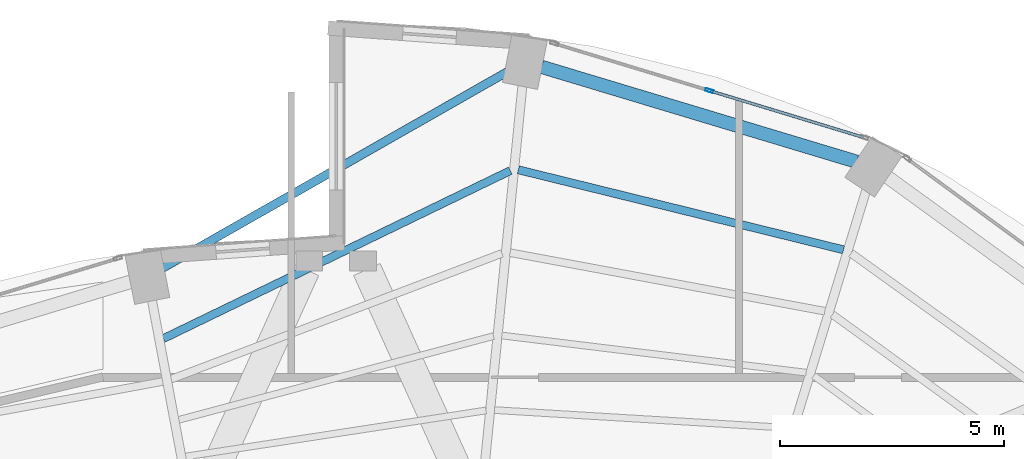
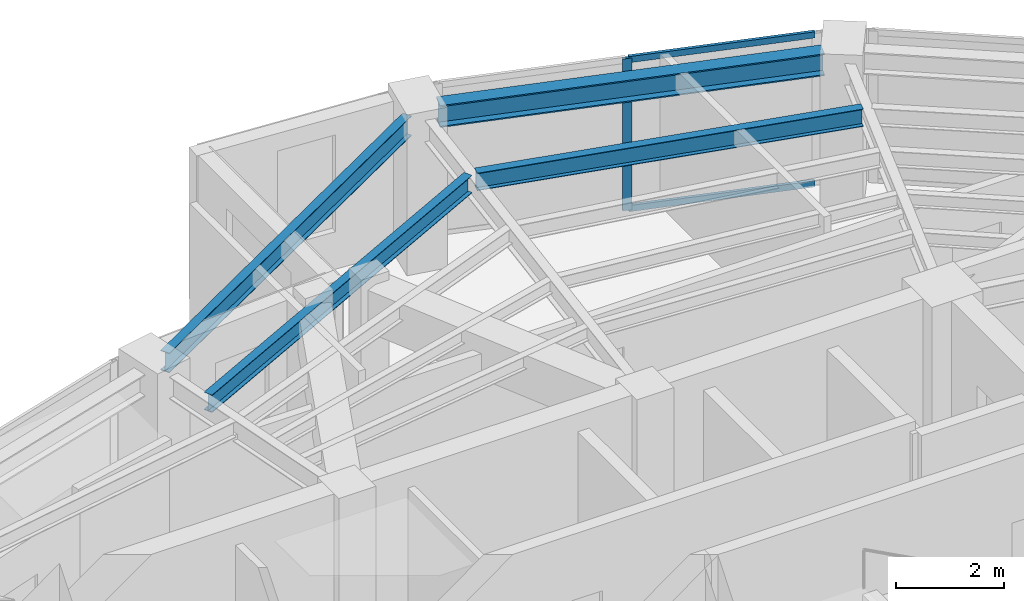
# One storey, part 16 of 23: 4 beams, 3 members, 1 element without a shape of its own.
"""IFC4 building model written with IfcOpenShell, lengths in metres."""

from ifc_helpers import new_model, si_unit, direction, frame, origin, origin_2d, place, context, subcontext, project, spatial, hollow_rectangle, i_section, extrude, material, layer, layer_set, material_profile, profile_set, type_object, element, aggregate, save


model = new_model("IFC4")

# Units and contexts
model_context = context("Model", 3, precision=1e-05, world=origin(), true_north=direction((0.0, 1.0)))
body_context = subcontext(model_context, "Body", "Model", "MODEL_VIEW")
ifc_project = project(units=[si_unit("LENGTHUNIT", "METRE"), si_unit("AREAUNIT", "SQUARE_METRE"), si_unit("VOLUMEUNIT", "CUBIC_METRE"), si_unit("PLANEANGLEUNIT", "RADIAN"), si_unit("MASSUNIT", "GRAM", prefix="KILO")], contexts=[model_context])

# Site, building, storey
site_placement = place(None, origin())
site = spatial("IfcSite", under=ifc_project, at=site_placement, CompositionType="ELEMENT")
building_placement = place(site_placement, origin())
building = spatial("IfcBuilding", under=site, at=building_placement, Name="Lazwardi Medical Tower", CompositionType="ELEMENT")
storey_placement = place(building_placement, frame((0.0, 0.0, 262.320068359375)))
storey = spatial("IfcBuildingStorey", under=building, at=storey_placement, Name="L68", CompositionType="ELEMENT", Elevation=262.320068359375)

# Beams
ifc_material_1 = material(Name="Steel S355", Category="steel")
ifc_material_profile_1 = material_profile(ifc_material_1, i_section(OverallWidth=0.300048828125, OverallDepth=0.5, WebThickness=0.014404296875, FlangeThickness=0.028076171875, at=origin_2d()), Name="HEB 500")
ifc_profile_set_1 = profile_set([ifc_material_profile_1], Name="Steel S355")
beam_type_1 = type_object("IfcBeamType", Name="BM-RB-Z4", PredefinedType="BEAM", material=ifc_profile_set_1)
beam_1_placement = place(storey_placement, frame((47.626953125, 43.56640625, 3.197998046875), z_axis=(-0.957544311906, 0.288286126506, 0.0), x_axis=(-0.288286126506, -0.957544311906, 0.0)))
element("IfcBeam", 1, at=beam_1_placement, inside=storey, type_object=beam_type_1, Name="Ring beam RB-05 B07 L68", PredefinedType="BEAM", context=body_context, shape_type="SweptSolid", body=[
    extrude(i_section(OverallWidth=0.300048828125, OverallDepth=0.5, WebThickness=0.014404296875, FlangeThickness=0.028076171875, at=origin_2d()), origin(), (0.0, 0.0, 1.0), 7.3515625),
])
ifc_material_profile_2 = material_profile(ifc_material_1, i_section(OverallWidth=0.179931640625, OverallDepth=0.39990234375, WebThickness=0.008544921875, FlangeThickness=0.013427734375, at=origin_2d()), Name="IPE 400")
ifc_profile_set_2 = profile_set([ifc_material_profile_2], Name="Steel S355")
beam_type_2 = type_object("IfcBeamType", Name="BM-SJ-01", PredefinedType="JOIST", material=ifc_profile_set_2)
beam_2_placement = place(storey_placement, frame((47.334228515625, 41.59912109375, 3.248046875), z_axis=(-0.971041669317, 0.238910184904, 0.0), x_axis=(-0.238910184904, -0.971041669317, 0.0)))
element("IfcBeam", 2, at=beam_2_placement, inside=storey, type_object=beam_type_2, Name="Secondary joist SJ-01 R1 B07 L68", PredefinedType="JOIST", context=body_context, shape_type="SweptSolid", body=[
    extrude(i_section(OverallWidth=0.179931640625, OverallDepth=0.39990234375, WebThickness=0.008544921875, FlangeThickness=0.013427734375, at=origin_2d()), origin(), (0.0, 0.0, 1.0), 7.482421875),
])
beam_3_placement = place(storey_placement, frame((39.89111328125, 43.367919921875, 3.248046875), z_axis=(-0.900068885459, -0.435747635024, 0.0), x_axis=(0.435747635024, -0.900068885459, 0.0)))
element("IfcBeam", 3, at=beam_3_placement, inside=storey, type_object=beam_type_2, Name="Secondary joist SJ-01 R1 B08 L68", PredefinedType="JOIST", context=body_context, shape_type="SweptSolid", body=[
    extrude(i_section(OverallWidth=0.179931640625, OverallDepth=0.39990234375, WebThickness=0.008544921875, FlangeThickness=0.013427734375, at=origin_2d()), origin(), (0.0, 0.0, 1.0), 8.612548828125),
])
ifc_material_profile_3 = material_profile(ifc_material_1, i_section(OverallWidth=0.18994140625, OverallDepth=0.449951171875, WebThickness=0.009521484375, FlangeThickness=0.0146484375, at=origin_2d()), Name="IPE 450")
ifc_profile_set_3 = profile_set([ifc_material_profile_3], Name="Steel S355")
beam_type_3 = type_object("IfcBeamType", Name="BM-SP-01", PredefinedType="SPANDREL", material=ifc_profile_set_3)
beam_4_placement = place(storey_placement, frame((39.875, 45.605224609375, 3.222900390625), z_axis=(-0.868954808466, -0.494891443494, 0.0), x_axis=(0.494891443494, -0.868954808466, 0.0)))
element("IfcBeam", 4, at=beam_4_placement, inside=storey, type_object=beam_type_3, Name="Spandrel beam SP-01 B08 L68", PredefinedType="SPANDREL", context=body_context, shape_type="SweptSolid", body=[
    extrude(i_section(OverallWidth=0.18994140625, OverallDepth=0.449951171875, WebThickness=0.009521484375, FlangeThickness=0.0146484375, at=origin_2d()), origin(), (0.0, 0.0, 1.0), 8.918701171875),
])

# Curtain wall, members
ifc_material_2 = material(Name="Anodised bronze aluminium and solar control glazing", Category="aluminium")
ifc_layer = layer(ifc_material_2, 0.18994140625)
ifc_layer_set = layer_set([ifc_layer], Name="Anodised bronze aluminium and solar control glazing")
curtain_wall_type = type_object("IfcCurtainWallType", Name="CW-SYS-04", PredefinedType="NOTDEFINED", material=ifc_layer_set)
curtain_wall_placement = place(storey_placement, origin())
curtain_wall = element("IfcCurtainWall", 5, at=curtain_wall_placement, inside=storey, type_object=curtain_wall_type, Name="L68 Unitised bronze curtain wall CW-04", PredefinedType="NOTDEFINED")
ifc_material_3 = material(Name="Anodised bronze aluminium", Category="aluminium")
ifc_material_profile_4 = material_profile(ifc_material_3, hollow_rectangle(XDim=0.06494140625, YDim=0.179931640625, WallThickness=0.00390625, at=origin_2d()), Name="ALU-MULLION 180x65x4")
ifc_profile_set_4 = profile_set([ifc_material_profile_4], Name="Anodised bronze aluminium")
member_type_1 = type_object("IfcMemberType", Name="CW-MUL-03", PredefinedType="MULLION", material=ifc_profile_set_4)
member_1_placement = place(storey_placement, frame((44.33642578125, 45.1552734375, 0.0), z_axis=(0.0, 0.0, 1.0), x_axis=(-0.290581889515, -0.956850126972, 0.0)))
member_1 = element("IfcMember", 6, at=member_1_placement, type_object=member_type_1, Name="CW-04 mullion 2", PredefinedType="MULLION", context=body_context, shape_type="SweptSolid", body=[
    extrude(hollow_rectangle(XDim=0.06494140625, YDim=0.179931640625, WallThickness=0.00390625, at=origin_2d()), origin(), (0.0, 0.0, 1.0), 3.447998046875),
])
ifc_material_profile_5 = material_profile(ifc_material_3, hollow_rectangle(XDim=0.06494140625, YDim=0.139892578125, WallThickness=0.00341796875, at=origin_2d()), Name="ALU-TRANSOM 140x65x3.5")
ifc_profile_set_5 = profile_set([ifc_material_profile_5], Name="Anodised bronze aluminium")
member_type_2 = type_object("IfcMemberType", Name="CW-TRN-03", PredefinedType="USERDEFINED", material=ifc_profile_set_5)
member_2_placement = place(storey_placement, frame((47.7685546875, 44.113037109375, 0.032470703125), z_axis=(-0.956862505902, 0.290541124109, 0.0), x_axis=(-0.290541124109, -0.956862505902, 0.0)))
member_2 = element("IfcMember", 7, at=member_2_placement, type_object=member_type_2, Name="CW-04 transom 1.1", ObjectType="TRANSOM", PredefinedType="USERDEFINED", context=body_context, shape_type="SweptSolid", body=[
    extrude(hollow_rectangle(XDim=0.06494140625, YDim=0.139892578125, WallThickness=0.00341796875, at=origin_2d()), origin(), (0.0, 0.0, 1.0), 3.554443359375),
])
member_3_placement = place(storey_placement, frame((47.7685546875, 44.113037109375, 3.41552734375), z_axis=(-0.956862505902, 0.290541124109, 0.0), x_axis=(-0.290541124109, -0.956862505902, 0.0)))
member_3 = element("IfcMember", 8, at=member_3_placement, type_object=member_type_2, Name="CW-04 transom 1.2", ObjectType="TRANSOM", PredefinedType="USERDEFINED", context=body_context, shape_type="SweptSolid", body=[
    extrude(hollow_rectangle(XDim=0.06494140625, YDim=0.139892578125, WallThickness=0.00341796875, at=origin_2d()), origin(), (0.0, 0.0, 1.0), 3.554443359375),
])
aggregate(curtain_wall, [member_1, member_2, member_3])

save(model, "model.ifc")
